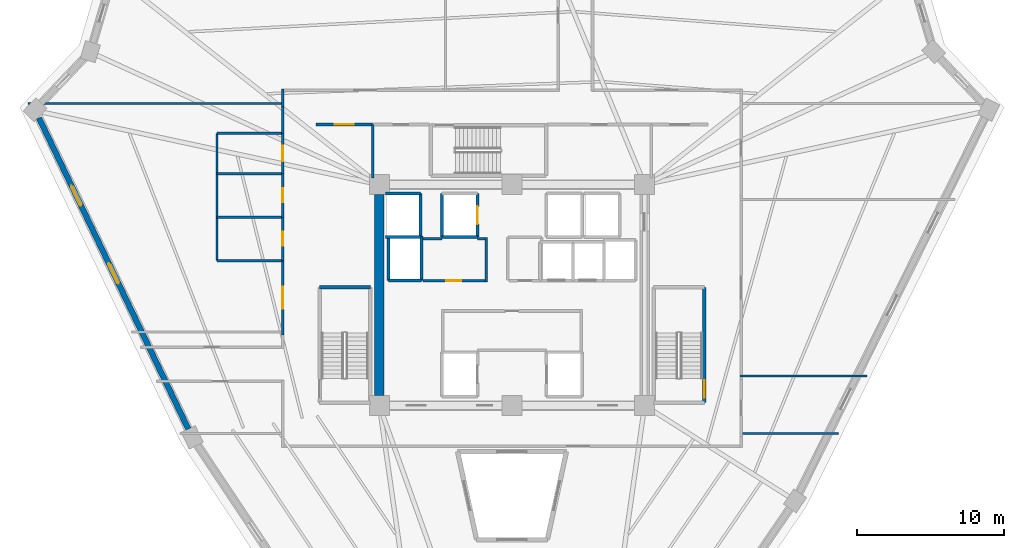
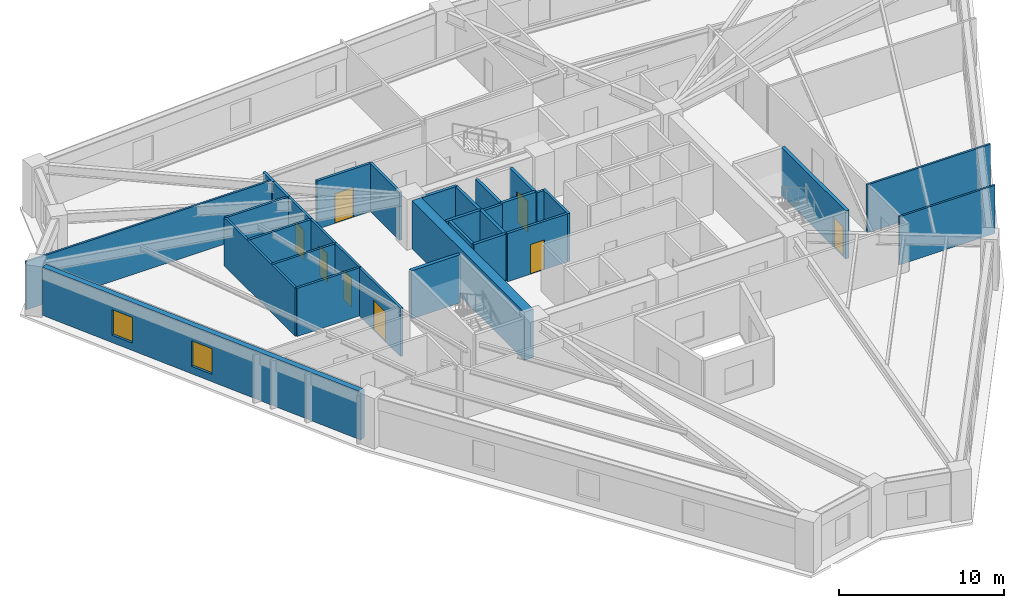
# One storey, part 4 of 8: 33 walls, 8 doors, 2 windows, 10 openings.
"""IFC4 building model written with IfcOpenShell, lengths in metres."""

from ifc_helpers import new_model, si_unit, direction, frame, frame_2d, origin, place, context, subcontext, project, spatial, rectangle, extrude, source, transform, mapped, material, layer, layer_set, type_object, element, fill, save


model = new_model("IFC4")

# Units and contexts
model_context = context("Model", 3, precision=1e-05, world=origin(), true_north=direction((0.0, 1.0)))
body_context = subcontext(model_context, "Body", "Model", "MODEL_VIEW")
ifc_project = project(units=[si_unit("LENGTHUNIT", "METRE"), si_unit("AREAUNIT", "SQUARE_METRE"), si_unit("VOLUMEUNIT", "CUBIC_METRE"), si_unit("PLANEANGLEUNIT", "RADIAN"), si_unit("MASSUNIT", "GRAM", prefix="KILO")], contexts=[model_context])

# Site, building, storey
site_placement = place(None, origin())
site = spatial("IfcSite", under=ifc_project, at=site_placement, CompositionType="ELEMENT")
building_placement = place(site_placement, origin())
building = spatial("IfcBuilding", under=site, at=building_placement, Name="Liaohun Quay Tower", CompositionType="ELEMENT")
storey_placement = place(building_placement, frame((0.0, 0.0, 243.75)))
storey = spatial("IfcBuildingStorey", under=building, at=storey_placement, Name="L63", CompositionType="ELEMENT", Elevation=243.75)

# Wall
ifc_material_1 = material(Name="Concrete C55", Category="concrete")
ifc_layer_1 = layer(ifc_material_1, 0.64990234375, Name="Concrete C55", Category="concrete")
ifc_layer_set_1 = layer_set([ifc_layer_1], Name="Concrete C55")
wall_type_1 = type_object("IfcWallType", Name="WAL-COR-Z3", PredefinedType="SHEAR", material=ifc_layer_set_1)
wall_1_placement = place(storey_placement, frame((51.0, 47.175048828125, 0.0), z_axis=(0.0, 0.0, 1.0), x_axis=(0.0, 1.0, 0.0)))
element("IfcWall", 1, at=wall_1_placement, inside=storey, type_object=wall_type_1, Name="L63 Central Core Shear Wall W", PredefinedType="SHEAR", context=body_context, shape_type="SweptSolid", body=[
    extrude(rectangle(XDim=13.64990234375, YDim=0.64990234375, at=frame_2d((6.824951171875, 0.0))), origin(), (0.0, 0.0, 1.0), 3.570068359375),
])

# Wall, openings, windows
ifc_material_2 = material(Name="Precast concrete C50 insulated sandwich", Category="concrete")
ifc_layer_2 = layer(ifc_material_2, 0.3798828125, Name="Precast concrete C50 insulated sandwich", Category="concrete")
ifc_layer_set_2 = layer_set([ifc_layer_2], Name="Precast concrete C50 insulated sandwich")
wall_type_2 = type_object("IfcWallType", Name="WAL-EXT-Z34", PredefinedType="SOLIDWALL", material=ifc_layer_set_2)
wall_2_placement = place(storey_placement, frame((27.89306640625, 66.02490234375, 0.0), z_axis=(0.0, 0.0, 1.0), x_axis=(0.432777471902, -0.901500781926, 0.0)))
wall_2 = element("IfcWall", 2, at=wall_2_placement, inside=storey, type_object=wall_type_2, Name="L63 Brutalist Precast Pier Wall 10", PredefinedType="SOLIDWALL", context=body_context, shape_type="SweptSolid", body=[
    extrude(rectangle(XDim=23.43212890625, YDim=0.3798828125, at=frame_2d((11.716064453125, 0.0))), origin(), (0.0, 0.0, 1.0), 3.570068359375),
])
shared_shape_1 = source(origin(), body_context, "Body", "SweptSolid", [
    extrude(rectangle(XDim=1.5, YDim=1.89990234375, at=frame_2d((0.75, 0.949951171875))), frame((0.0, 0.199951171875, 0.0), z_axis=(0.0, -1.0, 0.0), x_axis=(1.0, 0.0, 0.0)), (0.0, 0.0, 1.0), 0.39990234375),
])
opening_1_placement = place(wall_2_placement, frame((5.10791015625, 0.0, 0.550048828125)))
opening_1 = element("IfcOpeningElement", 3, at=opening_1_placement, cuts=wall_2, Name="Opening W03", PredefinedType="OPENING", context=body_context, shape_type="MappedRepresentation", body=[
    mapped(shared_shape_1, transform((0.0, 0.0, 0.0), x_axis=(1.0, 0.0, 0.0), y_axis=(0.0, 1.0, 0.0), z_axis=(0.0, 0.0, 1.0), scale=1.0)),
])
opening_2_placement = place(wall_2_placement, frame((10.966064453125, 0.0, 0.550048828125)))
opening_2 = element("IfcOpeningElement", 4, at=opening_2_placement, cuts=wall_2, Name="Opening W03", PredefinedType="OPENING", context=body_context, shape_type="MappedRepresentation", body=[
    mapped(shared_shape_1, transform((0.0, 0.0, 0.0), x_axis=(1.0, 0.0, 0.0), y_axis=(0.0, 1.0, 0.0), z_axis=(0.0, 0.0, 1.0), scale=1.0)),
])
ifc_material_3 = material(Name="Triple Low-E argon glazing in thermally broken aluminium", Category="aluminium")
window_type = type_object("IfcWindowType", Name="WIN-PUN-Z3", PartitioningType="DOUBLE_PANEL_VERTICAL", PredefinedType="WINDOW", material=ifc_material_3)
shared_shape_2 = source(origin(), body_context, "Body", "SweptSolid", [
    extrude(rectangle(XDim=1.5, YDim=1.89990234375, at=frame_2d((0.75, 0.949951171875))), frame((0.0, 0.030029296875, 0.0), z_axis=(0.0, -1.0, 0.0), x_axis=(1.0, 0.0, 0.0)), (0.0, 0.0, 1.0), 0.06005859375),
])
window_1_placement = place(opening_1_placement, origin())
window_1 = element("IfcWindow", 5, at=window_1_placement, inside=storey, type_object=window_type, Name="L63 Recessed Cold-Climate Punched Window 10-1", OverallHeight=1.89990234375, OverallWidth=1.5, PartitioningType="DOUBLE_PANEL_VERTICAL", PredefinedType="WINDOW", context=body_context, shape_type="MappedRepresentation", body=[
    mapped(shared_shape_2, transform((0.0, 0.0, 0.0), x_axis=(1.0, 0.0, 0.0), y_axis=(0.0, 1.0, 0.0), z_axis=(0.0, 0.0, 1.0), scale=1.0)),
])
fill(opening_1, window_1)
window_2_placement = place(opening_2_placement, origin())
window_2 = element("IfcWindow", 6, at=window_2_placement, inside=storey, type_object=window_type, Name="L63 Recessed Cold-Climate Punched Window 10-2", OverallHeight=1.89990234375, OverallWidth=1.5, PartitioningType="DOUBLE_PANEL_VERTICAL", PredefinedType="WINDOW", context=body_context, shape_type="MappedRepresentation", body=[
    mapped(shared_shape_2, transform((0.0, 0.0, 0.0), x_axis=(1.0, 0.0, 0.0), y_axis=(0.0, 1.0, 0.0), z_axis=(0.0, 0.0, 1.0), scale=1.0)),
])
fill(opening_2, window_2)

# Wall, opening, door
ifc_material_4 = material(Name="Autoclaved aerated concrete blockwork", Category="masonry")
ifc_layer_3 = layer(ifc_material_4, 0.179931640625, Name="Autoclaved aerated concrete blockwork", Category="masonry")
ifc_layer_set_3 = layer_set([ifc_layer_3], Name="Autoclaved aerated concrete blockwork")
wall_type_3 = type_object("IfcWallType", Name="WAL-PRT-COR", PredefinedType="PARTITIONING", material=ifc_layer_set_3)
wall_3_placement = place(storey_placement, frame((53.949951171875, 54.97998046875, 0.0), z_axis=(0.0, 0.0, 1.0), x_axis=(1.0, 0.0, 0.0)))
wall_3 = element("IfcWall", 7, at=wall_3_placement, inside=storey, type_object=wall_type_3, Name="L63 Interior Partition Wall 002", PredefinedType="PARTITIONING", context=body_context, shape_type="SweptSolid", body=[
    extrude(rectangle(XDim=4.2099609375, YDim=0.179931640625, at=frame_2d((2.10498046875, 0.0))), origin(), (0.0, 0.0, 1.0), 3.570068359375),
])
shared_shape_3 = source(origin(), body_context, "Body", "SweptSolid", [
    extrude(rectangle(XDim=1.0, YDim=2.199951171875, at=frame_2d((0.5, 1.10009765625))), frame((0.0, 0.099853515625, 0.0), z_axis=(0.0, -1.0, 0.0), x_axis=(1.0, 0.0, 0.0)), (0.0, 0.0, 1.0), 0.199951171875),
])
opening_3_placement = place(wall_3_placement, frame((1.60009765625, 0.0, 0.0)))
opening_3 = element("IfcOpeningElement", 8, at=opening_3_placement, cuts=wall_3, Name="Opening OD1", PredefinedType="OPENING", context=body_context, shape_type="MappedRepresentation", body=[
    mapped(shared_shape_3, transform((0.0, 0.0, 0.0), x_axis=(1.0, 0.0, 0.0), y_axis=(0.0, 1.0, 0.0), z_axis=(0.0, 0.0, 1.0), scale=1.0)),
])
ifc_material_5 = material(Name="Solid-core oak veneer timber leaf in steel frame", Category="steel")
door_type_1 = type_object("IfcDoorType", Name="DOR-OFF-1000", OperationType="NOTDEFINED", PredefinedType="DOOR", material=ifc_material_5)
shared_shape_4 = source(origin(), body_context, "Body", "SweptSolid", [
    extrude(rectangle(XDim=1.0, YDim=2.199951171875, at=frame_2d((0.5, 1.10009765625))), frame((0.0, 0.02490234375, 0.0), z_axis=(0.0, -1.0, 0.0), x_axis=(1.0, 0.0, 0.0)), (0.0, 0.0, 1.0), 0.050048828125),
])
door_1_placement = place(opening_3_placement, origin())
door_1 = element("IfcDoor", 9, at=door_1_placement, inside=storey, type_object=door_type_1, Name="L63 Core Staff Pantry and Tea Room Door", OperationType="SINGLE_SWING_RIGHT", OverallHeight=2.199951171875, OverallWidth=1.0, PredefinedType="DOOR", context=body_context, shape_type="MappedRepresentation", body=[
    mapped(shared_shape_4, transform((0.0, 0.0, 0.0), x_axis=(1.0, 0.0, 0.0), y_axis=(0.0, 1.0, 0.0), z_axis=(0.0, 0.0, 1.0), scale=1.0)),
])
fill(opening_3, door_1)

wall_4_placement = place(storey_placement, frame((46.699951171875, 65.580078125, 0.0), z_axis=(0.0, 0.0, 1.0), x_axis=(1.0, 0.0, 0.0)))
wall_4 = element("IfcWall", 10, at=wall_4_placement, inside=storey, type_object=wall_type_3, Name="L63 Interior Partition Wall 009", PredefinedType="PARTITIONING", context=body_context, shape_type="SweptSolid", body=[
    extrude(rectangle(XDim=3.840087890625, YDim=0.179931640625, at=frame_2d((1.919921875, 0.0))), origin(), (0.0, 0.0, 1.0), 3.570068359375),
])
shared_shape_5 = source(origin(), body_context, "Body", "SweptSolid", [
    extrude(rectangle(XDim=1.300048828125, YDim=2.199951171875, at=frame_2d((0.64990234375, 1.10009765625))), frame((0.0, 0.099853515625, 0.0), z_axis=(0.0, -1.0, 0.0), x_axis=(1.0, 0.0, 0.0)), (0.0, 0.0, 1.0), 0.199951171875),
])
opening_4_placement = place(wall_4_placement, frame((1.27001953125, 0.0, 0.0)))
opening_4 = element("IfcOpeningElement", 11, at=opening_4_placement, cuts=wall_4, Name="Opening FD1", PredefinedType="OPENING", context=body_context, shape_type="MappedRepresentation", body=[
    mapped(shared_shape_5, transform((0.0, 0.0, 0.0), x_axis=(1.0, 0.0, 0.0), y_axis=(0.0, 1.0, 0.0), z_axis=(0.0, 0.0, 1.0), scale=1.0)),
])
ifc_material_6 = material(Name="Galvanised steel smokeproof fire door", Category="steel")
door_type_2 = type_object("IfcDoorType", Name="DOR-FFL-1300", OperationType="NOTDEFINED", PredefinedType="DOOR", material=ifc_material_6)
shared_shape_6 = source(origin(), body_context, "Body", "SweptSolid", [
    extrude(rectangle(XDim=1.300048828125, YDim=2.199951171875, at=frame_2d((0.64990234375, 1.10009765625))), frame((0.0, 0.02490234375, 0.0), z_axis=(0.0, -1.0, 0.0), x_axis=(1.0, 0.0, 0.0)), (0.0, 0.0, 1.0), 0.050048828125),
])
door_2_placement = place(opening_4_placement, origin())
door_2 = element("IfcDoor", 12, at=door_2_placement, inside=storey, type_object=door_type_2, Name="L63 West Core Vestibule Door", OperationType="SINGLE_SWING_LEFT", OverallHeight=2.199951171875, OverallWidth=1.300048828125, PredefinedType="DOOR", context=body_context, shape_type="MappedRepresentation", body=[
    mapped(shared_shape_6, transform((0.0, 0.0, 0.0), x_axis=(1.0, 0.0, 0.0), y_axis=(0.0, 1.0, 0.0), z_axis=(0.0, 0.0, 1.0), scale=1.0)),
])
fill(opening_4, door_2)

wall_5_placement = place(storey_placement, frame((44.43994140625, 51.284912109375, 0.0), z_axis=(0.0, 0.0, 1.0), x_axis=(0.0, 1.0, 0.0)))
wall_5 = element("IfcWall", 13, at=wall_5_placement, inside=storey, type_object=wall_type_3, Name="L63 Interior Partition Wall 016", PredefinedType="PARTITIONING", context=body_context, shape_type="SweptSolid", body=[
    extrude(rectangle(XDim=5.05517578125, YDim=0.179931640625, at=frame_2d((2.527587890625, 0.0))), origin(), (0.0, 0.0, 1.0), 3.570068359375),
])
shared_shape_7 = source(origin(), body_context, "Body", "SweptSolid", [
    extrude(rectangle(XDim=1.5, YDim=2.199951171875, at=frame_2d((0.75, 1.10009765625))), frame((0.0, 0.099853515625, 0.0), z_axis=(0.0, -1.0, 0.0), x_axis=(1.0, 0.0, 0.0)), (0.0, 0.0, 1.0), 0.199951171875),
])
opening_5_placement = place(wall_5_placement, frame((1.778076171875, 0.0, 0.0)))
opening_5 = element("IfcOpeningElement", 14, at=opening_5_placement, cuts=wall_5, Name="Opening OD2", PredefinedType="OPENING", context=body_context, shape_type="MappedRepresentation", body=[
    mapped(shared_shape_7, transform((0.0, 0.0, 0.0), x_axis=(1.0, 0.0, 0.0), y_axis=(0.0, 1.0, 0.0), z_axis=(0.0, 0.0, 1.0), scale=1.0)),
])
ifc_material_7 = material(Name="Acoustic oak veneer double door")
door_type_3 = type_object("IfcDoorType", Name="DOR-OFF-1500", OperationType="DOUBLE_DOOR_SINGLE_SWING", PredefinedType="DOOR", material=ifc_material_7)
shared_shape_8 = source(origin(), body_context, "Body", "SweptSolid", [
    extrude(rectangle(XDim=1.5, YDim=2.199951171875, at=frame_2d((0.75, 1.10009765625))), frame((0.0, 0.02490234375, 0.0), z_axis=(0.0, -1.0, 0.0), x_axis=(1.0, 0.0, 0.0)), (0.0, 0.0, 1.0), 0.050048828125),
])
door_3_placement = place(opening_5_placement, origin())
door_3 = element("IfcDoor", 15, at=door_3_placement, inside=storey, type_object=door_type_3, Name="L63 Staff Tea Kitchen and Pantry 06 Door", OperationType="DOUBLE_DOOR_SINGLE_SWING", OverallHeight=2.199951171875, OverallWidth=1.5, PredefinedType="DOOR", context=body_context, shape_type="MappedRepresentation", body=[
    mapped(shared_shape_8, transform((0.0, 0.0, 0.0), x_axis=(1.0, 0.0, 0.0), y_axis=(0.0, 1.0, 0.0), z_axis=(0.0, 0.0, 1.0), scale=1.0)),
])
fill(opening_5, door_3)

# Walls
wall_6_placement = place(storey_placement, frame((50.5400390625, 61.949951171875, 0.0), z_axis=(0.0, 0.0, 1.0), x_axis=(0.0, 1.0, 0.0)))
element("IfcWall", 16, at=wall_6_placement, inside=storey, type_object=wall_type_3, Name="L63 Interior Partition Wall 029", PredefinedType="PARTITIONING", context=body_context, shape_type="SweptSolid", body=[
    extrude(rectangle(XDim=3.630126953125, YDim=0.179931640625, at=frame_2d((1.81494140625, 0.0))), origin(), (0.0, 0.0, 1.0), 3.570068359375),
])
wall_7_placement = place(storey_placement, frame((44.43994140625, 66.784912109375, 0.0), z_axis=(0.0, 0.0, 1.0), x_axis=(0.0, 1.0, 0.0)))
element("IfcWall", 17, at=wall_7_placement, inside=storey, type_object=wall_type_3, Name="L63 Interior Partition Wall 034", PredefinedType="PARTITIONING", context=body_context, shape_type="SweptSolid", body=[
    extrude(rectangle(XDim=1.195068359375, YDim=0.179931640625, at=frame_2d((0.59765625, 0.0))), origin(), (0.0, 0.0, 1.0), 3.570068359375),
])
wall_8_placement = place(storey_placement, frame((44.43994140625, 64.97998046875, 0.0), z_axis=(0.0, 0.0, 1.0), x_axis=(0.0, 1.0, 0.0)))
element("IfcWall", 18, at=wall_8_placement, inside=storey, type_object=wall_type_3, Name="L63 Interior Partition Wall 035", PredefinedType="PARTITIONING", context=body_context, shape_type="SweptSolid", body=[
    extrude(rectangle(XDim=1.804931640625, YDim=0.179931640625, at=frame_2d((0.90234375, 0.0))), origin(), (0.0, 0.0, 1.0), 3.570068359375),
])
wall_9_placement = place(storey_placement, frame((58.25, 54.889892578125, 0.0), z_axis=(0.0, 0.0, 1.0), x_axis=(0.0, 1.0, 0.0)))
element("IfcWall", 19, at=wall_9_placement, inside=storey, type_object=wall_type_3, Name="L63 Interior Partition Wall 051", PredefinedType="PARTITIONING", context=body_context, shape_type="SweptSolid", body=[
    extrude(rectangle(XDim=3.02001953125, YDim=0.179931640625, at=frame_2d((1.510009765625, 0.0))), origin(), (0.0, 0.0, 1.0), 3.570068359375),
])
wall_10_placement = place(storey_placement, frame((53.949951171875, 57.820068359375, 0.0), z_axis=(0.0, 0.0, 1.0), x_axis=(1.0, 0.0, 0.0)))
element("IfcWall", 20, at=wall_10_placement, inside=storey, type_object=wall_type_3, Name="L63 Interior Partition Wall 052", PredefinedType="PARTITIONING", context=body_context, shape_type="SweptSolid", body=[
    extrude(rectangle(XDim=1.300048828125, YDim=0.179931640625, at=frame_2d((0.64990234375, 0.0))), origin(), (0.0, 0.0, 1.0), 3.570068359375),
])
wall_11_placement = place(storey_placement, frame((57.64990234375, 57.820068359375, 0.0), z_axis=(0.0, 0.0, 1.0), x_axis=(1.0, 0.0, 0.0)))
element("IfcWall", 21, at=wall_11_placement, inside=storey, type_object=wall_type_3, Name="L63 Interior Partition Wall 053", PredefinedType="PARTITIONING", context=body_context, shape_type="SweptSolid", body=[
    extrude(rectangle(XDim=0.510009765625, YDim=0.179931640625, at=frame_2d((0.2548828125, 0.0))), origin(), (0.0, 0.0, 1.0), 3.570068359375),
])
ifc_material_8 = material(Name="Gypsum board on twin steel studs", Category="steel")
ifc_layer_4 = layer(ifc_material_8, 0.139892578125, Name="Gypsum board on twin steel studs", Category="steel")
ifc_layer_set_4 = layer_set([ifc_layer_4], Name="Gypsum board on twin steel studs")
wall_type_4 = type_object("IfcWallType", Name="WAL-PRT-OFF", PredefinedType="PARTITIONING", material=ifc_layer_set_4)
wall_12_placement = place(storey_placement, frame((44.5400390625, 67.0, 0.0), z_axis=(0.0, 0.0, 1.0), x_axis=(-1.0, 0.0, 0.0)))
element("IfcWall", 22, at=wall_12_placement, inside=storey, type_object=wall_type_4, Name="L63 Interior Partition Wall 042", PredefinedType="PARTITIONING", context=body_context, shape_type="SweptSolid", body=[
    extrude(rectangle(XDim=17.382080078125, YDim=0.139892578125, at=frame_2d((8.69091796875, 0.0))), origin(), (0.0, 0.0, 1.0), 3.570068359375),
])
wall_13_placement = place(storey_placement, frame((75.4599609375, 44.60009765625, 0.0), z_axis=(0.0, 0.0, 1.0), x_axis=(1.0, 0.0, 0.0)))
element("IfcWall", 23, at=wall_13_placement, inside=storey, type_object=wall_type_4, Name="L63 Interior Partition Wall 043", PredefinedType="PARTITIONING", context=body_context, shape_type="SweptSolid", body=[
    extrude(rectangle(XDim=6.716064453125, YDim=0.139892578125, at=frame_2d((3.35791015625, 0.0))), origin(), (0.0, 0.0, 1.0), 3.570068359375),
])
wall_14_placement = place(storey_placement, frame((75.4599609375, 48.5, 0.0), z_axis=(0.0, 0.0, 1.0), x_axis=(1.0, 0.0, 0.0)))
element("IfcWall", 24, at=wall_14_placement, inside=storey, type_object=wall_type_4, Name="L63 Interior Partition Wall 044", PredefinedType="PARTITIONING", context=body_context, shape_type="SweptSolid", body=[
    extrude(rectangle(XDim=8.64794921875, YDim=0.139892578125, at=frame_2d((4.323974609375, 0.0))), origin(), (0.0, 0.0, 1.0), 3.570068359375),
])

# Wall, opening, door
ifc_material_9 = material(Name="Moisture-resistant masonry blockwork", Category="masonry")
ifc_layer_5 = layer(ifc_material_9, 0.159912109375, Name="Moisture-resistant masonry blockwork", Category="masonry")
ifc_layer_set_5 = layer_set([ifc_layer_5], Name="Moisture-resistant masonry blockwork")
wall_type_5 = type_object("IfcWallType", Name="WAL-PRT-WET", PredefinedType="PARTITIONING", material=ifc_layer_set_5)
wall_15_placement = place(storey_placement, frame((44.43994140625, 56.340087890625, 0.0), z_axis=(0.0, 0.0, 1.0), x_axis=(0.0, 1.0, 0.0)))
wall_15 = element("IfcWall", 25, at=wall_15_placement, inside=storey, type_object=wall_type_5, Name="L63 Interior Partition Wall 004", PredefinedType="PARTITIONING", context=body_context, shape_type="SweptSolid", body=[
    extrude(rectangle(XDim=2.93994140625, YDim=0.159912109375, at=frame_2d((1.469970703125, 0.0))), origin(), (0.0, 0.0, 1.0), 3.570068359375),
])
shared_shape_9 = source(origin(), body_context, "Body", "SweptSolid", [
    extrude(rectangle(XDim=0.949951171875, YDim=2.14990234375, at=frame_2d((0.47509765625, 1.074951171875))), frame((0.0, 0.08984375, 0.0), z_axis=(0.0, -1.0, 0.0), x_axis=(1.0, 0.0, 0.0)), (0.0, 0.0, 1.0), 0.179931640625),
])
opening_6_placement = place(wall_15_placement, frame((0.9951171875, 0.0, 0.0)))
opening_6 = element("IfcOpeningElement", 26, at=opening_6_placement, cuts=wall_15, Name="Opening WD1", PredefinedType="OPENING", context=body_context, shape_type="MappedRepresentation", body=[
    mapped(shared_shape_9, transform((0.0, 0.0, 0.0), x_axis=(1.0, 0.0, 0.0), y_axis=(0.0, 1.0, 0.0), z_axis=(0.0, 0.0, 1.0), scale=1.0)),
])
ifc_material_10 = material(Name="Moisture-resistant laminate timber leaf", Category="wood")
door_type_4 = type_object("IfcDoorType", Name="DOR-WC-950", OperationType="NOTDEFINED", PredefinedType="DOOR", material=ifc_material_10)
shared_shape_10 = source(origin(), body_context, "Body", "SweptSolid", [
    extrude(rectangle(XDim=0.949951171875, YDim=2.14990234375, at=frame_2d((0.47509765625, 1.074951171875))), frame((0.0, 0.02490234375, 0.0), z_axis=(0.0, -1.0, 0.0), x_axis=(1.0, 0.0, 0.0)), (0.0, 0.0, 1.0), 0.050048828125),
])
door_4_placement = place(opening_6_placement, origin())
door_4 = element("IfcDoor", 27, at=door_4_placement, inside=storey, type_object=door_type_4, Name="L63 Male Restroom WC Door", OperationType="SINGLE_SWING_RIGHT", OverallHeight=2.14990234375, OverallWidth=0.949951171875, PredefinedType="DOOR", context=body_context, shape_type="MappedRepresentation", body=[
    mapped(shared_shape_10, transform((0.0, 0.0, 0.0), x_axis=(1.0, 0.0, 0.0), y_axis=(0.0, 1.0, 0.0), z_axis=(0.0, 0.0, 1.0), scale=1.0)),
])
fill(opening_6, door_4)

wall_16_placement = place(storey_placement, frame((44.43994140625, 59.280029296875, 0.0), z_axis=(0.0, 0.0, 1.0), x_axis=(0.0, 1.0, 0.0)))
wall_16 = element("IfcWall", 28, at=wall_16_placement, inside=storey, type_object=wall_type_5, Name="L63 Interior Partition Wall 005", PredefinedType="PARTITIONING", context=body_context, shape_type="SweptSolid", body=[
    extrude(rectangle(XDim=2.9599609375, YDim=0.159912109375, at=frame_2d((1.47998046875, 0.0))), origin(), (0.0, 0.0, 1.0), 3.570068359375),
])
opening_7_placement = place(wall_16_placement, frame((1.0048828125, 0.0, 0.0)))
opening_7 = element("IfcOpeningElement", 29, at=opening_7_placement, cuts=wall_16, Name="Opening WD1", PredefinedType="OPENING", context=body_context, shape_type="MappedRepresentation", body=[
    mapped(shared_shape_9, transform((0.0, 0.0, 0.0), x_axis=(1.0, 0.0, 0.0), y_axis=(0.0, 1.0, 0.0), z_axis=(0.0, 0.0, 1.0), scale=1.0)),
])
door_5_placement = place(opening_7_placement, origin())
door_5 = element("IfcDoor", 30, at=door_5_placement, inside=storey, type_object=door_type_4, Name="L63 Female Restroom WC Door", OperationType="SINGLE_SWING_LEFT", OverallHeight=2.14990234375, OverallWidth=0.949951171875, PredefinedType="DOOR", context=body_context, shape_type="MappedRepresentation", body=[
    mapped(shared_shape_10, transform((0.0, 0.0, 0.0), x_axis=(1.0, 0.0, 0.0), y_axis=(0.0, 1.0, 0.0), z_axis=(0.0, 0.0, 1.0), scale=1.0)),
])
fill(opening_7, door_5)

wall_17_placement = place(storey_placement, frame((44.43994140625, 62.239990234375, 0.0), z_axis=(0.0, 0.0, 1.0), x_axis=(0.0, 1.0, 0.0)))
wall_17 = element("IfcWall", 31, at=wall_17_placement, inside=storey, type_object=wall_type_5, Name="L63 Interior Partition Wall 006", PredefinedType="PARTITIONING", context=body_context, shape_type="SweptSolid", body=[
    extrude(rectangle(XDim=2.739990234375, YDim=0.159912109375, at=frame_2d((1.3701171875, 0.0))), origin(), (0.0, 0.0, 1.0), 3.570068359375),
])
shared_shape_11 = source(origin(), body_context, "Body", "SweptSolid", [
    extrude(rectangle(XDim=1.050048828125, YDim=2.14990234375, at=frame_2d((0.52490234375, 1.074951171875))), frame((0.0, 0.08984375, 0.0), z_axis=(0.0, -1.0, 0.0), x_axis=(1.0, 0.0, 0.0)), (0.0, 0.0, 1.0), 0.179931640625),
])
opening_8_placement = place(wall_17_placement, frame((0.844970703125, 0.0, 0.0)))
opening_8 = element("IfcOpeningElement", 32, at=opening_8_placement, cuts=wall_17, Name="Opening WD2", PredefinedType="OPENING", context=body_context, shape_type="MappedRepresentation", body=[
    mapped(shared_shape_11, transform((0.0, 0.0, 0.0), x_axis=(1.0, 0.0, 0.0), y_axis=(0.0, 1.0, 0.0), z_axis=(0.0, 0.0, 1.0), scale=1.0)),
])
ifc_material_11 = material(Name="Accessible outward-swinging laminate door")
door_type_5 = type_object("IfcDoorType", Name="DOR-AWC-1050", OperationType="NOTDEFINED", PredefinedType="DOOR", material=ifc_material_11)
shared_shape_12 = source(origin(), body_context, "Body", "SweptSolid", [
    extrude(rectangle(XDim=1.050048828125, YDim=2.14990234375, at=frame_2d((0.52490234375, 1.074951171875))), frame((0.0, 0.02490234375, 0.0), z_axis=(0.0, -1.0, 0.0), x_axis=(1.0, 0.0, 0.0)), (0.0, 0.0, 1.0), 0.050048828125),
])
door_6_placement = place(opening_8_placement, origin())
door_6 = element("IfcDoor", 33, at=door_6_placement, inside=storey, type_object=door_type_5, Name="L63 Accessible WC Door", OperationType="SINGLE_SWING_RIGHT", OverallHeight=2.14990234375, OverallWidth=1.050048828125, PredefinedType="DOOR", context=body_context, shape_type="MappedRepresentation", body=[
    mapped(shared_shape_12, transform((0.0, 0.0, 0.0), x_axis=(1.0, 0.0, 0.0), y_axis=(0.0, 1.0, 0.0), z_axis=(0.0, 0.0, 1.0), scale=1.0)),
])
fill(opening_8, door_6)

# Walls
wall_18_placement = place(storey_placement, frame((39.97998046875, 56.340087890625, 0.0), z_axis=(0.0, 0.0, 1.0), x_axis=(0.0, 1.0, 0.0)))
element("IfcWall", 34, at=wall_18_placement, inside=storey, type_object=wall_type_5, Name="L63 Interior Partition Wall 024", PredefinedType="PARTITIONING", context=body_context, shape_type="SweptSolid", body=[
    extrude(rectangle(XDim=8.639892578125, YDim=0.159912109375, at=frame_2d((4.31982421875, 0.0))), origin(), (0.0, 0.0, 1.0), 3.570068359375),
])
for number, where, z_axis, x_axis, name in (
    (35, (39.97998046875, 56.340087890625, 0.0), (0.0, 0.0, 1.0), (1.0, 0.0, 0.0), "L63 Interior Partition Wall 025"),
    (36, (39.97998046875, 59.280029296875, 0.0), (0.0, 0.0, 1.0), (1.0, 0.0, 0.0), "L63 Interior Partition Wall 026"),
    (37, (39.97998046875, 62.239990234375, 0.0), (0.0, 0.0, 1.0), (1.0, 0.0, 0.0), "L63 Interior Partition Wall 027"),
    (38, (39.97998046875, 64.97998046875, 0.0), (0.0, 0.0, 1.0), (1.0, 0.0, 0.0), "L63 Interior Partition Wall 028"),
):
    element("IfcWall", number, at=place(storey_placement, frame(where, z_axis=z_axis, x_axis=x_axis)), inside=storey, type_object=wall_type_5, Name=name, PredefinedType="PARTITIONING", context=body_context, shape_type="SweptSolid", body=[
        extrude(rectangle(XDim=4.4599609375, YDim=0.159912109375, at=frame_2d((2.22998046875, 0.0))), origin(), (0.0, 0.0, 1.0), 3.570068359375),
    ])
ifc_material_12 = material(Name="Concrete C50", Category="concrete")
ifc_layer_6 = layer(ifc_material_12, 0.239990234375, Name="Concrete C50", Category="concrete")
ifc_layer_set_6 = layer_set([ifc_layer_6], Name="Concrete C50")
wall_type_6 = type_object("IfcWallType", Name="WAL-SHF-200", PredefinedType="SOLIDWALL", material=ifc_layer_set_6)
wall_19_placement = place(storey_placement, frame((50.3798828125, 54.52001953125, 0.0), z_axis=(0.0, 0.0, 1.0), x_axis=(-1.0, 0.0, 0.0)))
element("IfcWall", 39, at=wall_19_placement, inside=storey, type_object=wall_type_6, Name="L63 Stairwell ST-1 Structural Core Wall N", PredefinedType="SOLIDWALL", context=body_context, shape_type="SweptSolid", body=[
    extrude(rectangle(XDim=3.43994140625, YDim=0.239990234375, at=frame_2d((1.719970703125, 0.0))), origin(), (0.0, 0.0, 1.0), 3.570068359375),
])

# Wall, opening, door
wall_20_placement = place(storey_placement, frame((73.06005859375, 46.699951171875, 0.0), z_axis=(0.0, 0.0, 1.0), x_axis=(0.0, 1.0, 0.0)))
wall_20 = element("IfcWall", 40, at=wall_20_placement, inside=storey, type_object=wall_type_6, Name="L63 Stairwell ST-2 Structural Core Wall E", PredefinedType="SOLIDWALL", context=body_context, shape_type="SweptSolid", body=[
    extrude(rectangle(XDim=7.820068359375, YDim=0.239990234375, at=frame_2d((3.91015625, 0.0))), origin(), (0.0, 0.0, 1.0), 3.570068359375),
])
shared_shape_13 = source(origin(), body_context, "Body", "SweptSolid", [
    extrude(rectangle(XDim=1.199951171875, YDim=2.199951171875, at=frame_2d((0.60009765625, 1.10009765625))), frame((0.0, 0.1298828125, 0.0), z_axis=(0.0, -1.0, 0.0), x_axis=(1.0, 0.0, 0.0)), (0.0, 0.0, 1.0), 0.260009765625),
])
opening_9_placement = place(wall_20_placement, frame((0.320068359375, 0.0, 0.0)))
opening_9 = element("IfcOpeningElement", 41, at=opening_9_placement, cuts=wall_20, Name="Opening SD1", PredefinedType="OPENING", context=body_context, shape_type="MappedRepresentation", body=[
    mapped(shared_shape_13, transform((0.0, 0.0, 0.0), x_axis=(1.0, 0.0, 0.0), y_axis=(0.0, 1.0, 0.0), z_axis=(0.0, 0.0, 1.0), scale=1.0)),
])
ifc_material_13 = material(Name="Galvanised steel fire door", Category="steel")
door_type_6 = type_object("IfcDoorType", Name="DOR-STR-1200", OperationType="NOTDEFINED", PredefinedType="DOOR", material=ifc_material_13)
shared_shape_14 = source(origin(), body_context, "Body", "SweptSolid", [
    extrude(rectangle(XDim=1.199951171875, YDim=2.199951171875, at=frame_2d((0.60009765625, 1.10009765625))), frame((0.0, 0.02490234375, 0.0), z_axis=(0.0, -1.0, 0.0), x_axis=(1.0, 0.0, 0.0)), (0.0, 0.0, 1.0), 0.050048828125),
])
door_7_placement = place(opening_9_placement, origin())
door_7 = element("IfcDoor", 42, at=door_7_placement, inside=storey, type_object=door_type_6, Name="L63 Protected Stair ST-2 Fire Door", OperationType="SINGLE_SWING_RIGHT", OverallHeight=2.199951171875, OverallWidth=1.199951171875, PredefinedType="DOOR", context=body_context, shape_type="MappedRepresentation", body=[
    mapped(shared_shape_14, transform((0.0, 0.0, 0.0), x_axis=(1.0, 0.0, 0.0), y_axis=(0.0, 1.0, 0.0), z_axis=(0.0, 0.0, 1.0), scale=1.0)),
])
fill(opening_9, door_7)

# Wall
wall_21_placement = place(storey_placement, frame((55.25, 57.949951171875, 0.0), z_axis=(0.0, 0.0, 1.0), x_axis=(1.0, 0.0, 0.0)))
element("IfcWall", 43, at=wall_21_placement, inside=storey, type_object=wall_type_6, Name="L63 Lift FF-03 Hoistway Wall S", PredefinedType="SOLIDWALL", context=body_context, shape_type="SweptSolid", body=[
    extrude(rectangle(XDim=2.39990234375, YDim=0.199951171875, at=frame_2d((1.199951171875, 0.0))), origin(), (0.0, 0.0, 1.0), 3.570068359375),
])

# Wall, opening, door
wall_22_placement = place(storey_placement, frame((57.64990234375, 57.949951171875, 0.0), z_axis=(0.0, 0.0, 1.0), x_axis=(0.0, 1.0, 0.0)))
wall_22 = element("IfcWall", 44, at=wall_22_placement, inside=storey, type_object=wall_type_6, Name="L63 Lift FF-03 Hoistway Wall E", PredefinedType="SOLIDWALL", context=body_context, shape_type="SweptSolid", body=[
    extrude(rectangle(XDim=2.929931640625, YDim=0.199951171875, at=frame_2d((1.46484375, 0.0))), origin(), (0.0, 0.0, 1.0), 3.570068359375),
])
shared_shape_15 = source(origin(), body_context, "Body", "SweptSolid", [
    extrude(rectangle(XDim=1.199951171875, YDim=2.300048828125, at=frame_2d((0.60009765625, 1.14990234375))), frame((0.0, 0.10986328125, 0.0), z_axis=(0.0, -1.0, 0.0), x_axis=(1.0, 0.0, 0.0)), (0.0, 0.0, 1.0), 0.219970703125),
])
opening_10_placement = place(wall_22_placement, frame((0.864990234375, 0.0, 0.0)))
opening_10 = element("IfcOpeningElement", 45, at=opening_10_placement, cuts=wall_22, Name="Opening LD2", PredefinedType="OPENING", context=body_context, shape_type="MappedRepresentation", body=[
    mapped(shared_shape_15, transform((0.0, 0.0, 0.0), x_axis=(1.0, 0.0, 0.0), y_axis=(0.0, 1.0, 0.0), z_axis=(0.0, 0.0, 1.0), scale=1.0)),
])
ifc_material_14 = material(Name="Brushed stainless steel stretcher landing door", Category="steel")
door_type_7 = type_object("IfcDoorType", Name="DOR-LFT-1200", OperationType="SLIDING_TO_LEFT", PredefinedType="DOOR", material=ifc_material_14)
shared_shape_16 = source(origin(), body_context, "Body", "SweptSolid", [
    extrude(rectangle(XDim=1.199951171875, YDim=2.300048828125, at=frame_2d((0.60009765625, 1.14990234375))), frame((0.0, 0.02490234375, 0.0), z_axis=(0.0, -1.0, 0.0), x_axis=(1.0, 0.0, 0.0)), (0.0, 0.0, 1.0), 0.050048828125),
])
door_8_placement = place(opening_10_placement, origin())
door_8 = element("IfcDoor", 46, at=door_8_placement, inside=storey, type_object=door_type_7, Name="L63 Lift FF-03 Sliding Landing Door", OperationType="SLIDING_TO_LEFT", OverallHeight=2.300048828125, OverallWidth=1.199951171875, PredefinedType="DOOR", context=body_context, shape_type="MappedRepresentation", body=[
    mapped(shared_shape_16, transform((0.0, 0.0, 0.0), x_axis=(1.0, 0.0, 0.0), y_axis=(0.0, 1.0, 0.0), z_axis=(0.0, 0.0, 1.0), scale=1.0)),
])
fill(opening_10, door_8)

# Walls
wall_23_placement = place(storey_placement, frame((55.25, 60.8798828125, 0.0), z_axis=(0.0, 0.0, 1.0), x_axis=(0.0, -1.0, 0.0)))
element("IfcWall", 47, at=wall_23_placement, inside=storey, type_object=wall_type_6, Name="L63 Lift FF-03 Hoistway Wall W", PredefinedType="SOLIDWALL", context=body_context, shape_type="SweptSolid", body=[
    extrude(rectangle(XDim=2.929931640625, YDim=0.199951171875, at=frame_2d((1.46484375, 0.0))), origin(), (0.0, 0.0, 1.0), 3.570068359375),
])
wall_24_placement = place(storey_placement, frame((51.39990234375, 57.949951171875, 0.0), z_axis=(0.0, 0.0, 1.0), x_axis=(1.0, 0.0, 0.0)))
element("IfcWall", 48, at=wall_24_placement, inside=storey, type_object=wall_type_6, Name="L63 Lift SH-01 Hoistway Wall S", PredefinedType="SOLIDWALL", context=body_context, shape_type="SweptSolid", body=[
    extrude(rectangle(XDim=2.400146484375, YDim=0.199951171875, at=frame_2d((1.2001953125, 0.0))), origin(), (0.0, 0.0, 1.0), 3.570068359375),
])
wall_25_placement = place(storey_placement, frame((53.800048828125, 57.949951171875, 0.0), z_axis=(0.0, 0.0, 1.0), x_axis=(0.0, 1.0, 0.0)))
element("IfcWall", 49, at=wall_25_placement, inside=storey, type_object=wall_type_6, Name="L63 Lift SH-01 Hoistway Wall E", PredefinedType="SOLIDWALL", context=body_context, shape_type="SweptSolid", body=[
    extrude(rectangle(XDim=2.929931640625, YDim=0.199951171875, at=frame_2d((1.46484375, 0.0))), origin(), (0.0, 0.0, 1.0), 3.570068359375),
])
wall_26_placement = place(storey_placement, frame((53.800048828125, 60.8798828125, 0.0), z_axis=(0.0, 0.0, 1.0), x_axis=(-1.0, 0.0, 0.0)))
element("IfcWall", 50, at=wall_26_placement, inside=storey, type_object=wall_type_6, Name="L63 Lift SH-01 Hoistway Wall N", PredefinedType="SOLIDWALL", context=body_context, shape_type="SweptSolid", body=[
    extrude(rectangle(XDim=2.400146484375, YDim=0.199951171875, at=frame_2d((1.2001953125, 0.0))), origin(), (0.0, 0.0, 1.0), 3.570068359375),
])
wall_27_placement = place(storey_placement, frame((51.6201171875, 55.0, 0.0), z_axis=(0.0, 0.0, 1.0), x_axis=(1.0, 0.0, 0.0)))
element("IfcWall", 51, at=wall_27_placement, inside=storey, type_object=wall_type_6, Name="L63 Lift SH-02 Hoistway Wall S", PredefinedType="SOLIDWALL", context=body_context, shape_type="SweptSolid", body=[
    extrude(rectangle(XDim=2.22998046875, YDim=0.199951171875, at=frame_2d((1.114990234375, 0.0))), origin(), (0.0, 0.0, 1.0), 3.570068359375),
])
for number, where, z_axis, x_axis, name in (
    (52, (53.85009765625, 55.0, 0.0), (0.0, 0.0, 1.0), (0.0, 1.0, 0.0), "L63 Lift SH-02 Hoistway Wall E"),
    (53, (51.6201171875, 58.0, 0.0), (0.0, 0.0, 1.0), (0.0, -1.0, 0.0), "L63 Lift SH-02 Hoistway Wall W"),
):
    element("IfcWall", number, at=place(storey_placement, frame(where, z_axis=z_axis, x_axis=x_axis)), inside=storey, type_object=wall_type_6, Name=name, PredefinedType="SOLIDWALL", context=body_context, shape_type="SweptSolid", body=[
        extrude(rectangle(XDim=3.0, YDim=0.199951171875, at=frame_2d((1.5, 0.0))), origin(), (0.0, 0.0, 1.0), 3.570068359375),
    ])

save(model, "model.ifc")
